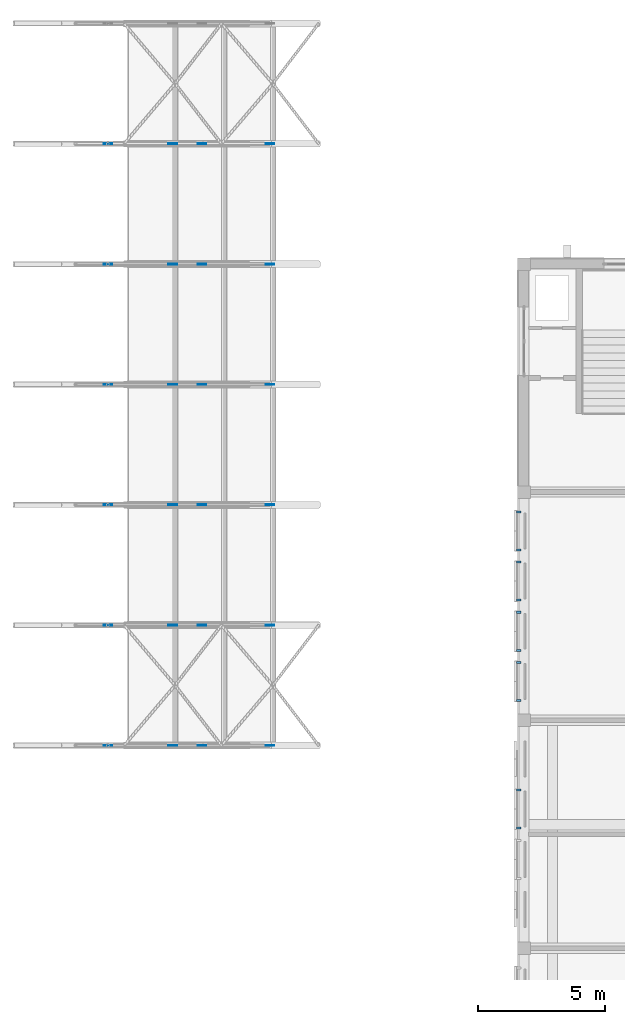
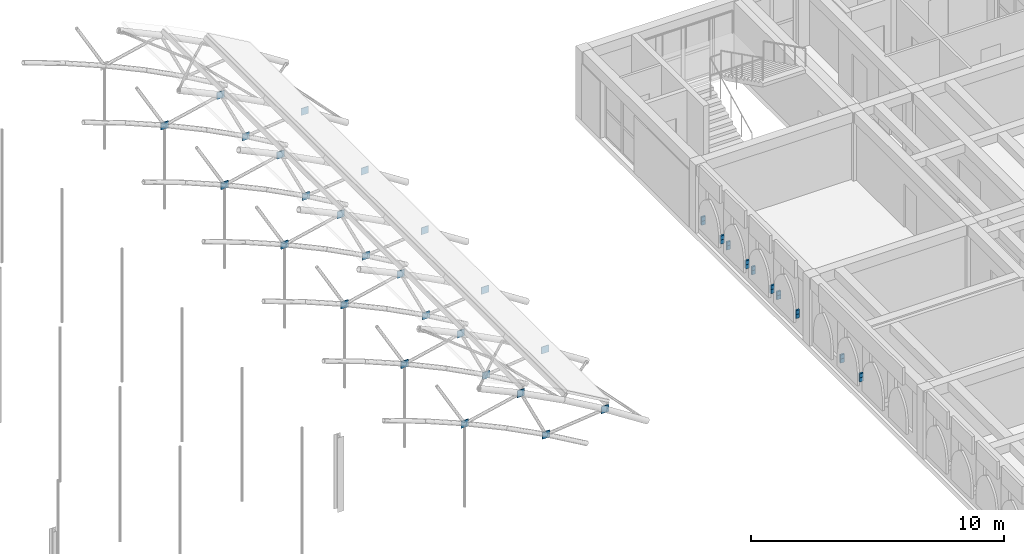
# One storey, part 36 of 50: 44 discrete accessories.
"""IFC4 building model written with IfcOpenShell, lengths in metres."""

from ifc_helpers import new_model, si_unit, direction, frame, origin, origin_2d, place, context, subcontext, project, spatial, rectangle, extrude, material, layer, layer_set, type_object, element, save


model = new_model("IFC4")

# Units and contexts
model_context = context("Model", 3, precision=1e-05, world=origin(), true_north=direction((0.0, 1.0)))
body_context = subcontext(model_context, "Body", "Model", "MODEL_VIEW")
ifc_project = project(units=[si_unit("LENGTHUNIT", "METRE"), si_unit("AREAUNIT", "SQUARE_METRE"), si_unit("VOLUMEUNIT", "CUBIC_METRE"), si_unit("PLANEANGLEUNIT", "RADIAN"), si_unit("MASSUNIT", "GRAM", prefix="KILO")], contexts=[model_context])

# Site, building, storey
site_placement = place(None, origin())
site = spatial("IfcSite", under=ifc_project, at=site_placement, CompositionType="ELEMENT")
building_placement = place(site_placement, origin())
building = spatial("IfcBuilding", under=site, at=building_placement, Name="Elbe Cascade School", CompositionType="ELEMENT")
storey_placement = place(building_placement, frame((0.0, 0.0, 15.300048828125)))
storey = spatial("IfcBuildingStorey", under=building, at=storey_placement, Name="L04", CompositionType="ELEMENT", Elevation=15.300048828125)

# Discrete accessories
ifc_material_1 = material(Name="Steel S355J2, hot-dip galvanised", Category="steel")
discrete_accessory_type_1 = type_object("IfcDiscreteAccessoryType", Name="Bars envelope Bracket, galvanised steel", PredefinedType="BRACKET", material=ifc_material_1)
for number, where, z_axis, x_axis, name in (
    (1, (68.7900390625, 37.739990234375, 0.75), (0.0, 0.0, 1.0), (0.0, 1.0, 0.0), "Bracket AC7 jali.w.4.br3ll"),
    (2, (68.7900390625, 37.739990234375, 0.93994140625), (0.0, 0.0, 1.0), (0.0, 1.0, 0.0), "Bracket AC7 jali.w.4.br3lu"),
    (3, (68.7900390625, 39.239990234375, 0.75), (0.0, 0.0, 1.0), (0.0, 1.0, 0.0), "Bracket AC7 jali.w.4.br3rl"),
    (4, (68.7900390625, 39.239990234375, 0.93994140625), (0.0, 0.0, 1.0), (0.0, 1.0, 0.0), "Bracket AC7 jali.w.4.br3ru"),
    (5, (68.7900390625, 42.780029296875, 0.75), (0.0, 0.0, 1.0), (0.0, 1.0, 0.0), "Bracket AC7 jali.w.5.br1ll"),
    (6, (68.7900390625, 42.780029296875, 0.93994140625), (0.0, 0.0, 1.0), (0.0, 1.0, 0.0), "Bracket AC7 jali.w.5.br1lu"),
    (7, (68.7900390625, 44.280029296875, 0.75), (0.0, 0.0, 1.0), (0.0, 1.0, 0.0), "Bracket AC7 jali.w.5.br1rl"),
    (8, (68.7900390625, 44.280029296875, 0.93994140625), (0.0, 0.0, 1.0), (0.0, 1.0, 0.0), "Bracket AC7 jali.w.5.br1ru"),
    (9, (68.7900390625, 44.760009765625, 0.75), (0.0, 0.0, 1.0), (0.0, 1.0, 0.0), "Bracket AC7 jali.w.5.br2ll"),
    (10, (68.7900390625, 44.760009765625, 0.93994140625), (0.0, 0.0, 1.0), (0.0, 1.0, 0.0), "Bracket AC7 jali.w.5.br2lu"),
    (11, (68.7900390625, 46.260009765625, 0.75), (0.0, 0.0, 1.0), (0.0, 1.0, 0.0), "Bracket AC7 jali.w.5.br2rl"),
    (12, (68.7900390625, 46.260009765625, 0.93994140625), (0.0, 0.0, 1.0), (0.0, 1.0, 0.0), "Bracket AC7 jali.w.5.br2ru"),
    (13, (68.7900390625, 46.739990234375, 0.75), (0.0, 0.0, 1.0), (0.0, 1.0, 0.0), "Bracket AC7 jali.w.5.br3ll"),
    (14, (68.7900390625, 46.739990234375, 0.93994140625), (0.0, 0.0, 1.0), (0.0, 1.0, 0.0), "Bracket AC7 jali.w.5.br3lu"),
    (15, (68.7900390625, 48.239990234375, 0.75), (0.0, 0.0, 1.0), (0.0, 1.0, 0.0), "Bracket AC7 jali.w.5.br3rl"),
    (16, (68.7900390625, 48.239990234375, 0.93994140625), (0.0, 0.0, 1.0), (0.0, 1.0, 0.0), "Bracket AC7 jali.w.5.br3ru"),
    (17, (68.7900390625, 48.719970703125, 0.75), (0.0, 0.0, 1.0), (0.0, 1.0, 0.0), "Bracket AC7 jali.w.5.br4ll"),
    (18, (68.7900390625, 48.719970703125, 0.93994140625), (0.0, 0.0, 1.0), (0.0, 1.0, 0.0), "Bracket AC7 jali.w.5.br4lu"),
    (19, (68.7900390625, 50.219970703125, 0.75), (0.0, 0.0, 1.0), (0.0, 1.0, 0.0), "Bracket AC7 jali.w.5.br4rl"),
    (20, (68.7900390625, 50.219970703125, 0.93994140625), (0.0, 0.0, 1.0), (0.0, 1.0, 0.0), "Bracket AC7 jali.w.5.br4ru"),
):
    element("IfcDiscreteAccessory", number, at=place(storey_placement, frame(where, z_axis=z_axis, x_axis=x_axis)), inside=storey, type_object=discrete_accessory_type_1, Name=name, PredefinedType="BRACKET", context=body_context, shape_type="SweptSolid", body=[
        extrude(rectangle(XDim=0.080078125, YDim=0.179931640625, at=origin_2d()), origin(), (0.0, 0.0, 1.0), 0.199951171875),
    ])
ifc_material_2 = material(Name="Steel S355J2", Category="steel")
ifc_layer = layer(ifc_material_2, 0.030029296875)
ifc_layer_set = layer_set([ifc_layer], Name="Steel S355J2")
discrete_accessory_type_2 = type_object("IfcDiscreteAccessoryType", Name="Truss node connection", PredefinedType="BRACKET", material=ifc_layer_set)
for number, where, z_axis, x_axis, name in (
    (21, (52.5712890625, 41.0, 2.2294921875), (0.0, 0.0, 1.0), (1.0, 0.0, 0.0), "Truss node connection AC1"),
    (22, (56.28564453125, 41.0, 0.3984375), (0.0, 0.0, 1.0), (1.0, 0.0, 0.0), "Truss node connection AC1"),
    (23, (55.13525390625, 41.0, 2.80126953125), (0.0, 0.0, 1.0), (1.0, 0.0, 0.0), "Truss node connection AC1"),
    (24, (58.97802734375, 41.0, 0.68505859375), (0.0, 0.0, 1.0), (1.0, 0.0, 0.0), "Truss node connection AC1"),
    (25, (52.5712890625, 45.75, 2.2294921875), (0.0, 0.0, 1.0), (1.0, 0.0, 0.0), "Truss node connection AC1"),
    (26, (56.28564453125, 45.75, 0.3984375), (0.0, 0.0, 1.0), (1.0, 0.0, 0.0), "Truss node connection AC1"),
    (27, (55.13525390625, 45.75, 2.80126953125), (0.0, 0.0, 1.0), (1.0, 0.0, 0.0), "Truss node connection AC1"),
    (28, (58.97802734375, 45.75, 0.68505859375), (0.0, 0.0, 1.0), (1.0, 0.0, 0.0), "Truss node connection AC1"),
    (29, (52.5712890625, 50.5, 2.2294921875), (0.0, 0.0, 1.0), (1.0, 0.0, 0.0), "Truss node connection AC1"),
    (30, (56.28564453125, 50.5, 0.3984375), (0.0, 0.0, 1.0), (1.0, 0.0, 0.0), "Truss node connection AC1"),
    (31, (55.13525390625, 50.5, 2.80126953125), (0.0, 0.0, 1.0), (1.0, 0.0, 0.0), "Truss node connection AC1"),
    (32, (58.97802734375, 50.5, 0.68505859375), (0.0, 0.0, 1.0), (1.0, 0.0, 0.0), "Truss node connection AC1"),
    (33, (52.5712890625, 55.25, 2.2294921875), (0.0, 0.0, 1.0), (1.0, 0.0, 0.0), "Truss node connection AC1"),
    (34, (56.28564453125, 55.25, 0.3984375), (0.0, 0.0, 1.0), (1.0, 0.0, 0.0), "Truss node connection AC1"),
    (35, (55.13525390625, 55.25, 2.80126953125), (0.0, 0.0, 1.0), (1.0, 0.0, 0.0), "Truss node connection AC1"),
    (36, (58.97802734375, 55.25, 0.68505859375), (0.0, 0.0, 1.0), (1.0, 0.0, 0.0), "Truss node connection AC1"),
    (37, (52.5712890625, 60.0, 2.2294921875), (0.0, 0.0, 1.0), (1.0, 0.0, 0.0), "Truss node connection AC1"),
    (38, (56.28564453125, 60.0, 0.3984375), (0.0, 0.0, 1.0), (1.0, 0.0, 0.0), "Truss node connection AC1"),
    (39, (55.13525390625, 60.0, 2.80126953125), (0.0, 0.0, 1.0), (1.0, 0.0, 0.0), "Truss node connection AC1"),
    (40, (58.97802734375, 60.0, 0.68505859375), (0.0, 0.0, 1.0), (1.0, 0.0, 0.0), "Truss node connection AC1"),
    (41, (52.5712890625, 64.75, 2.2294921875), (0.0, 0.0, 1.0), (1.0, 0.0, 0.0), "Truss node connection AC1"),
    (42, (56.28564453125, 64.75, 0.3984375), (0.0, 0.0, 1.0), (1.0, 0.0, 0.0), "Truss node connection AC1"),
    (43, (55.13525390625, 64.75, 2.80126953125), (0.0, 0.0, 1.0), (1.0, 0.0, 0.0), "Truss node connection AC1"),
    (44, (58.97802734375, 64.75, 0.68505859375), (0.0, 0.0, 1.0), (1.0, 0.0, 0.0), "Truss node connection AC1"),
):
    element("IfcDiscreteAccessory", number, at=place(storey_placement, frame(where, z_axis=z_axis, x_axis=x_axis)), inside=storey, type_object=discrete_accessory_type_2, Name=name, PredefinedType="BRACKET", context=body_context, shape_type="SweptSolid", body=[
        extrude(rectangle(XDim=0.340087890625, YDim=0.030029296875, at=origin_2d()), origin(), (0.0, 0.0, 1.0), 0.340087890625),
    ])

save(model, "model.ifc")
